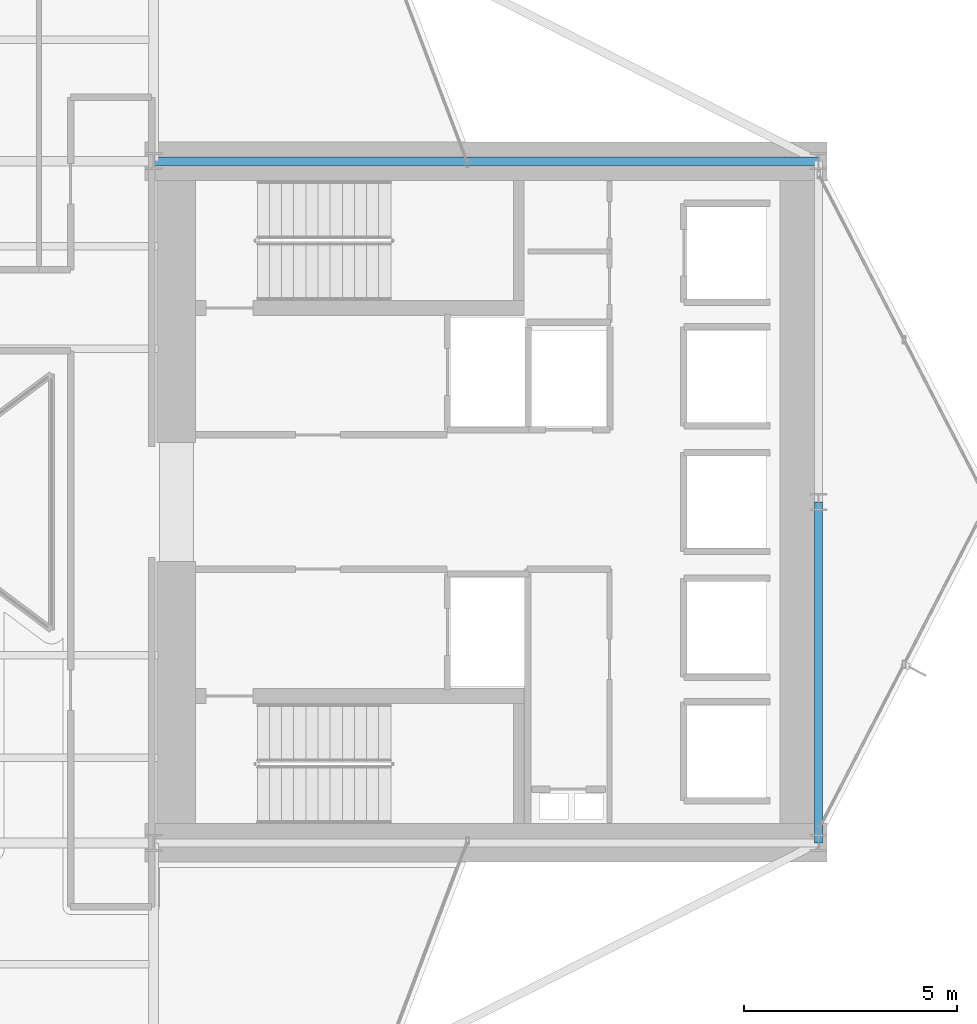
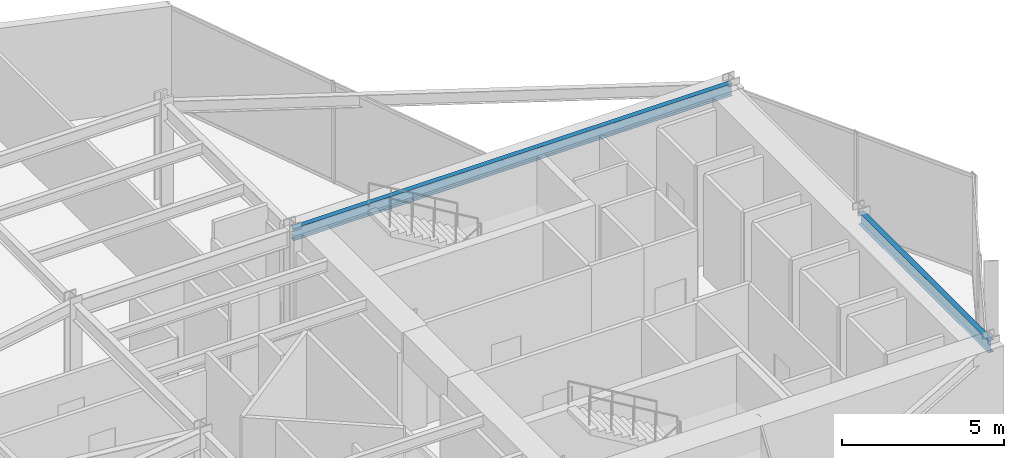
# One storey, part 17 of 30: 2 beams.
"""IFC4 building model written with IfcOpenShell, lengths in metres."""

from ifc_helpers import new_model, si_unit, direction, frame, origin, origin_2d, place, context, subcontext, project, spatial, i_section, extrude, material, material_profile, profile_set, type_object, element, save


model = new_model("IFC4")

# Units and contexts
model_context = context("Model", 3, precision=1e-05, world=origin(), true_north=direction((0.0, 1.0)))
body_context = subcontext(model_context, "Body", "Model", "MODEL_VIEW")
ifc_project = project(units=[si_unit("LENGTHUNIT", "METRE"), si_unit("AREAUNIT", "SQUARE_METRE"), si_unit("VOLUMEUNIT", "CUBIC_METRE"), si_unit("PLANEANGLEUNIT", "RADIAN"), si_unit("MASSUNIT", "GRAM", prefix="KILO")], contexts=[model_context])

# Site, building, storey
site_placement = place(None, origin())
site = spatial("IfcSite", under=ifc_project, at=site_placement, CompositionType="ELEMENT")
building_placement = place(site_placement, origin())
building = spatial("IfcBuilding", under=site, at=building_placement, Name="Veymaron Broadcast Tower", CompositionType="ELEMENT")
storey_placement = place(building_placement, frame((0.0, 0.0, 37.800048828125)))
storey = spatial("IfcBuildingStorey", under=building, at=storey_placement, Name="L07", CompositionType="ELEMENT", Elevation=37.800048828125)

# Beams
ifc_material = material(Name="Structural steel ASTM A992 Gr 50", Category="steel")
ifc_material_profile = material_profile(ifc_material, i_section(OverallWidth=0.19091796875, OverallDepth=0.4599609375, WebThickness=0.010009765625, FlangeThickness=0.01611328125, at=origin_2d()), Name="W460X82")
ifc_profile_set = profile_set([ifc_material_profile], Name="Structural steel ASTM A992 Gr 50")
beam_type = type_object("IfcBeamType", Name="BM-SP1", PredefinedType="SPANDREL", material=ifc_profile_set)
beam_1_placement = place(storey_placement, frame((39.0, 32.0, 3.579833984375), z_axis=(1.0, 0.0, 0.0), x_axis=(0.0, 1.0, 0.0)))
element("IfcBeam", 1, at=beam_1_placement, inside=storey, type_object=beam_type, Name="L07 primary structural floor girder", PredefinedType="SPANDREL", context=body_context, shape_type="SweptSolid", body=[
    extrude(i_section(OverallWidth=0.19091796875, OverallDepth=0.4599609375, WebThickness=0.010009765625, FlangeThickness=0.01611328125, at=origin_2d()), origin(), (0.0, 0.0, 1.0), 15.60009765625),
])
beam_2_placement = place(storey_placement, frame((54.60009765625, 16.0, 3.579833984375), z_axis=(0.0, 1.0, 0.0), x_axis=(-1.0, 0.0, 0.0)))
element("IfcBeam", 2, at=beam_2_placement, inside=storey, type_object=beam_type, Name="L07 primary structural floor girder", PredefinedType="SPANDREL", context=body_context, shape_type="SweptSolid", body=[
    extrude(i_section(OverallWidth=0.19091796875, OverallDepth=0.4599609375, WebThickness=0.010009765625, FlangeThickness=0.01611328125, at=origin_2d()), origin(), (0.0, 0.0, 1.0), 8.0),
])

save(model, "model.ifc")
